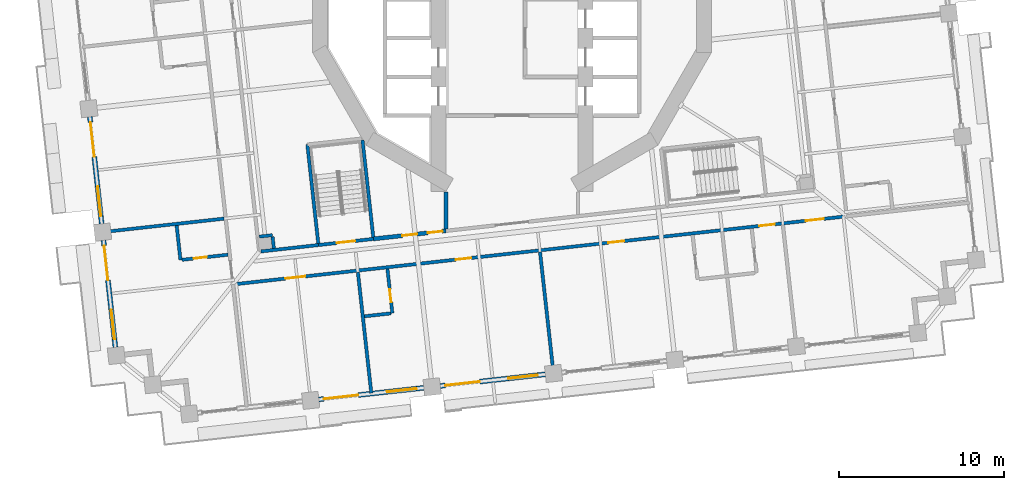
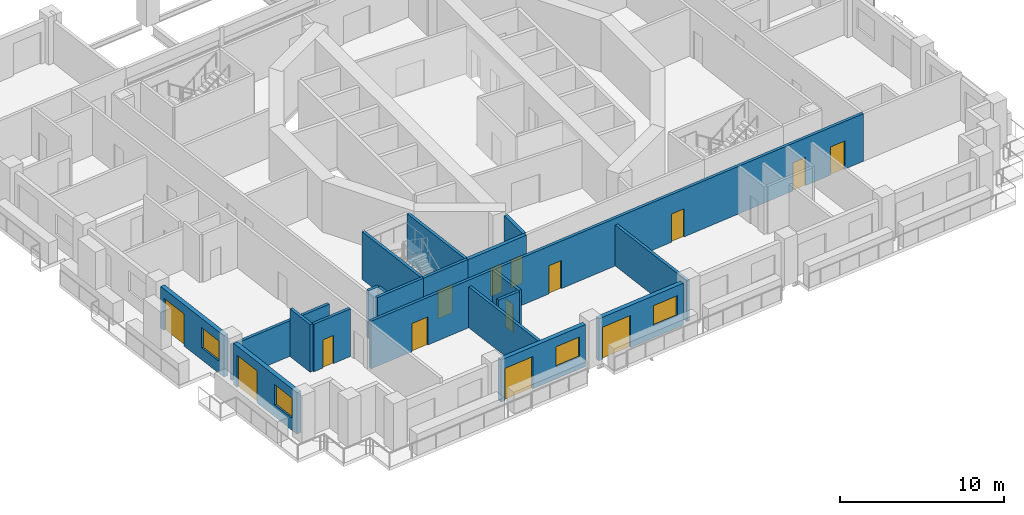
# One storey, part 7 of 21: 20 walls, 14 doors, 4 windows, 18 openings.
"""IFC4 building model written with IfcOpenShell, lengths in metres."""

import ifcopenshell
import ifcopenshell.guid

model = None  # the IFC model being written
_history = None  # IfcOwnerHistory: only IFC2X3 demands one
_inside = {}  # id of a spatial element -> (the spatial element, [elements in it])
_under = {}  # id of a project, library or spatial element -> (it, [spatial elements below it])
_declared = {}  # id of a project -> (the project, [libraries it declares])
_typed = {}  # id of a type object -> (the type object, [elements of that type])
_made_of = {}  # id of a material, layer set ... -> (it, [elements and type objects made of it])


def new_model(schema):
    """Start an empty IFC model of exactly this schema.

    Asked for "IFC4X3", IfcOpenShell would pick the latest addendum, in which some entities
    have other attributes; the version numbers below select the first issue.
    IFC2X3 requires an IfcOwnerHistory on every rooted entity: one is made here for all.
    """
    global model, _history
    if schema == "IFC4X3":
        model = ifcopenshell.file(schema_version=(4, 3, 0, 0))
    else:
        model = ifcopenshell.file(schema=schema)
    _inside.clear()
    _under.clear()
    _declared.clear()
    _typed.clear()
    _made_of.clear()
    _history = None
    if model.schema == "IFC2X3":
        org = make("IfcOrganization", Name="unknown")
        user = make(
            "IfcPersonAndOrganization",
            ThePerson=make("IfcPerson", FamilyName="unknown"),
            TheOrganization=org,
        )
        app = make(
            "IfcApplication",
            ApplicationDeveloper=org,
            Version="unknown",
            ApplicationFullName="unknown",
            ApplicationIdentifier="unknown",
        )
        _history = make(
            "IfcOwnerHistory",
            OwningUser=user,
            OwningApplication=app,
            ChangeAction="ADDED",
            CreationDate=0,
        )
    return model


def make(cls, **values):
    """One entity of the class cls with the attributes given. An attribute that is None is left unset."""
    return model.create_entity(
        cls, **{name: value for name, value in values.items() if value is not None}
    )


def rooted(cls, **values):
    """An entity with a GlobalId (a new one), such as an element, a storey or a relation."""
    return make(cls, GlobalId=ifcopenshell.guid.new(), OwnerHistory=_history, **values)


def si_unit(unit_type, name, prefix=None):
    """IfcSIUnit, for example si_unit("LENGTHUNIT", "METRE", prefix="MILLI")."""
    return make("IfcSIUnit", UnitType=unit_type, Prefix=prefix, Name=name)


def assignment(units):
    """IfcUnitAssignment: the units of a project."""
    return None if units is None else make("IfcUnitAssignment", Units=units)


def point(xyz):
    """IfcCartesianPoint."""
    return None if xyz is None else make("IfcCartesianPoint", Coordinates=xyz)


def direction(xyz):
    """IfcDirection."""
    return None if xyz is None else make("IfcDirection", DirectionRatios=xyz)


def frame(location, z_axis=None, x_axis=None):
    """IfcAxis2Placement3D, a coordinate frame: its origin and axes. An axis left out is left unset."""
    return make(
        "IfcAxis2Placement3D",
        Location=point(location),
        Axis=direction(z_axis),
        RefDirection=direction(x_axis),
    )


def frame_2d(location, x_axis=None):
    """IfcAxis2Placement2D, a coordinate frame in the plane: its origin and x axis."""
    return make(
        "IfcAxis2Placement2D", Location=point(location), RefDirection=direction(x_axis)
    )


def origin():
    """The frame at (0, 0, 0) with its axes left unset."""
    return frame((0.0, 0.0, 0.0))


def place(relative_to, where):
    """IfcLocalPlacement: puts the frame where relative to a parent placement (None: the world)."""
    return make(
        "IfcLocalPlacement", PlacementRelTo=relative_to, RelativePlacement=where
    )


def context(
    kind, dimensions, precision=None, world=None, true_north=None, identifier=None
):
    """IfcGeometricRepresentationContext, for example the 3D "Model" context."""
    return make(
        "IfcGeometricRepresentationContext",
        ContextIdentifier=identifier,
        ContextType=kind,
        CoordinateSpaceDimension=dimensions,
        Precision=precision,
        WorldCoordinateSystem=world,
        TrueNorth=true_north,
    )


def subcontext(parent, identifier, kind, view, scale=None):
    """IfcGeometricRepresentationSubContext, for example "Body" below "Model"."""
    return make(
        "IfcGeometricRepresentationSubContext",
        ContextIdentifier=identifier,
        ContextType=kind,
        ParentContext=parent,
        TargetScale=scale,
        TargetView=view,
    )


def project(units=None, contexts=None):
    """IfcProject with its units and contexts."""
    return rooted(
        "IfcProject",
        Name="project",
        RepresentationContexts=contexts,
        UnitsInContext=assignment(units),
    )


def spatial(cls, under=None, at=None, **own):
    """A site, building, storey or space (cls), placed at a placement, below another one or the project."""
    s = rooted(cls, ObjectPlacement=at, **own)
    if under is not None:
        _under.setdefault(under.id(), (under, []))[1].append(s)
    return s


def profile(cls, at=None, kind="AREA", **sizes):
    """A parametric profile (cls). Its sizes go by their IFC names, for example OverallWidth=200.0."""
    return make(cls, ProfileType=kind, Position=at, **sizes)


def rectangle(**sizes):
    """IfcRectangleProfileDef."""
    return profile("IfcRectangleProfileDef", **sizes)


def extrude(swept, where, along, depth):
    """IfcExtrudedAreaSolid: the profile swept, set in the frame where, extruded along a direction by depth."""
    return make(
        "IfcExtrudedAreaSolid",
        SweptArea=swept,
        Position=where,
        ExtrudedDirection=direction(along),
        Depth=depth,
    )


def shape(context_of_items, identifier, shape_type, items):
    """IfcShapeRepresentation: the items that make up one representation, for example the "Body"."""
    return make(
        "IfcShapeRepresentation",
        ContextOfItems=context_of_items,
        RepresentationIdentifier=identifier,
        RepresentationType=shape_type,
        Items=items,
    )


def material(Name=None, Category=None):
    """IfcMaterial."""
    return make("IfcMaterial", Name=Name, Category=Category)


def layer(
    of_material, thickness, ventilated=None, Name=None, Category=None, Priority=None
):
    """IfcMaterialLayer: one layer of a wall or slab, of a material (None: an air gap)."""
    return make(
        "IfcMaterialLayer",
        Material=of_material,
        LayerThickness=thickness,
        IsVentilated=ventilated,
        Name=Name,
        Category=Category,
        Priority=Priority,
    )


def layer_set(layers, Name=None):
    """IfcMaterialLayerSet."""
    return make("IfcMaterialLayerSet", MaterialLayers=layers, LayerSetName=Name)


def made_of(thing, what):
    """Note that an element or type object is made of a material, layer set ...; save() writes the relation."""
    if what is not None:
        _made_of.setdefault(what.id(), (what, []))[1].append(thing)
    return thing


def type_object(cls, material=None, **own):
    """A type object (cls), such as IfcWallType, which elements share."""
    return made_of(rooted(cls, **own), material)


def element(
    cls,
    number,
    at=None,
    inside=None,
    cuts=None,
    type_object=None,
    material=None,
    context=None,
    identifier="Body",
    shape_type=None,
    held_by="IfcProductDefinitionShape",
    body=None,
    shapes=None,
    **own,
):
    """One element of the class cls, such as IfcWall. Its Tag is "e" and its number.

    at: its placement. inside: the storey or other place that contains it. cuts: it is an
    opening in that element (IfcRelVoidsElement). A single representation is given by context,
    identifier, shape_type and body (its items); several are given by shapes. held_by: the class
    of the entity that holds the representations. save() writes the other relations.
    """
    e = rooted(cls, Tag="e%d" % number, ObjectPlacement=at, **own)
    if body is not None:
        shapes = [shape(context, identifier, shape_type, body)]
    if shapes is not None:
        e.Representation = make(held_by, Representations=shapes)
    if inside is not None:
        _inside.setdefault(inside.id(), (inside, []))[1].append(e)
    if cuts is not None:
        rooted(
            "IfcRelVoidsElement", RelatingBuildingElement=cuts, RelatedOpeningElement=e
        )
    if type_object is not None:
        _typed.setdefault(type_object.id(), (type_object, []))[1].append(e)
    return made_of(e, material)


def fill(opening, filler):
    """IfcRelFillsElement: the door or window that sits in an opening."""
    return rooted(
        "IfcRelFillsElement",
        RelatingOpeningElement=opening,
        RelatedBuildingElement=filler,
    )


def aggregate(whole, parts):
    """IfcRelAggregates: a whole, such as a stair, and the parts it consists of."""
    return rooted("IfcRelAggregates", RelatingObject=whole, RelatedObjects=parts)


def save(model, path):
    """Write the relations noted so far, then the file.

    IfcRelAggregates (storeys below a building ...), IfcRelContainedInSpatialStructure (elements
    in a storey), IfcRelDefinesByType, IfcRelAssociatesMaterial and IfcRelDeclares: one each for
    every whole, place, type object, material and project.
    """
    for whole, parts in _under.values():
        aggregate(whole, parts)
    for where, things in _inside.values():
        rooted(
            "IfcRelContainedInSpatialStructure",
            RelatedElements=things,
            RelatingStructure=where,
        )
    for kind, things in _typed.values():
        rooted("IfcRelDefinesByType", RelatedObjects=things, RelatingType=kind)
    for what, things in _made_of.values():
        rooted("IfcRelAssociatesMaterial", RelatedObjects=things, RelatingMaterial=what)
    for by, libraries in _declared.values():
        rooted("IfcRelDeclares", RelatingContext=by, RelatedDefinitions=libraries)
    model.write(path)


model = new_model("IFC4")

# Units and contexts
model_context = context("Model", 3, precision=1e-05, world=origin(), true_north=direction((0.0, 1.0)))
body_context = subcontext(model_context, "Body", "Model", "MODEL_VIEW")
ifc_project = project(units=[si_unit("LENGTHUNIT", "METRE"), si_unit("AREAUNIT", "SQUARE_METRE"), si_unit("VOLUMEUNIT", "CUBIC_METRE"), si_unit("PLANEANGLEUNIT", "RADIAN"), si_unit("MASSUNIT", "GRAM", prefix="KILO")], contexts=[model_context])

# Site, building, storey
site_placement = place(None, origin())
site = spatial("IfcSite", under=ifc_project, at=site_placement, CompositionType="ELEMENT")
building_placement = place(site_placement, origin())
building = spatial("IfcBuilding", under=site, at=building_placement, Name="Cantera Rosa Tower", CompositionType="ELEMENT")
storey_placement = place(building_placement, frame((0.0, 0.0, 57.699951171875)))
storey = spatial("IfcBuildingStorey", under=building, at=storey_placement, Name="L11", CompositionType="ELEMENT", Elevation=57.699951171875)

# Wall, openings, doors
ifc_material_1 = material(Name="Gypsum board partition")
ifc_layer_1 = layer(ifc_material_1, 0.199951171875)
ifc_layer_set_1 = layer_set([ifc_layer_1], Name="CORRIDOR WALL 200 H3550")
wall_type_1 = type_object("IfcWallType", Name="CORRIDOR WALL 200 H3550", PredefinedType="PARTITIONING", material=ifc_layer_set_1)
wall_1_placement = place(storey_placement, frame((-16.798583984375, -17.25830078125, 0.0), z_axis=(0.0, 0.0, 1.0), x_axis=(0.993897376518, 0.110308680302, 0.0)))
wall_1 = element("IfcWall", 1, at=wall_1_placement, inside=storey, type_object=wall_type_1, Name="CORRIDOR WALL L11-020", PredefinedType="PARTITIONING", context=body_context, shape_type="SweptSolid", body=[
    extrude(rectangle(XDim=37.2998046875, YDim=0.199951171875, at=frame_2d((18.64990234375, 0.0))), origin(), (0.0, 0.0, 1.0), 3.550048828125),
])
opening_1_placement = place(wall_1_placement, frame((3.10009765625, 0.0, 0.0)))
opening_1 = element("IfcOpeningElement", 2, at=opening_1_placement, cuts=wall_1, Name="Opening L11-039", PredefinedType="OPENING", context=body_context, shape_type="SweptSolid", body=[
    extrude(rectangle(XDim=1.199951171875, YDim=2.10009765625, at=frame_2d((0.60009765625, 1.050048828125))), frame((0.0, 0.10986328125, 0.0), z_axis=(0.0, -1.0, 0.0), x_axis=(1.0, 0.0, 0.0)), (0.0, 0.0, 1.0), 0.219970703125),
])
opening_2_placement = place(wall_1_placement, frame((13.47509765625, 0.0, 0.0)))
opening_2 = element("IfcOpeningElement", 3, at=opening_2_placement, cuts=wall_1, Name="Opening L11-040", PredefinedType="OPENING", context=body_context, shape_type="SweptSolid", body=[
    extrude(rectangle(XDim=0.949951171875, YDim=2.10009765625, at=frame_2d((0.47509765625, 1.050048828125))), frame((0.0, 0.10986328125, 0.0), z_axis=(0.0, -1.0, 0.0), x_axis=(1.0, 0.0, 0.0)), (0.0, 0.0, 1.0), 0.219970703125),
])
opening_3_placement = place(wall_1_placement, frame((22.77490234375, 0.0, 0.0)))
opening_3 = element("IfcOpeningElement", 4, at=opening_3_placement, cuts=wall_1, Name="Opening L11-042", PredefinedType="OPENING", context=body_context, shape_type="SweptSolid", body=[
    extrude(rectangle(XDim=0.949951171875, YDim=2.10009765625, at=frame_2d((0.47509765625, 1.050048828125))), frame((0.0, 0.10986328125, 0.0), z_axis=(0.0, -1.0, 0.0), x_axis=(1.0, 0.0, 0.0)), (0.0, 0.0, 1.0), 0.219970703125),
])
opening_4_placement = place(wall_1_placement, frame((31.97509765625, 0.0, 0.0)))
opening_4 = element("IfcOpeningElement", 5, at=opening_4_placement, cuts=wall_1, Name="Opening L11-044", PredefinedType="OPENING", context=body_context, shape_type="SweptSolid", body=[
    extrude(rectangle(XDim=0.949951171875, YDim=2.10009765625, at=frame_2d((0.47509765625, 1.050048828125))), frame((0.0, 0.10986328125, 0.0), z_axis=(0.0, -1.0, 0.0), x_axis=(1.0, 0.0, 0.0)), (0.0, 0.0, 1.0), 0.219970703125),
])
opening_5_placement = place(wall_1_placement, frame((34.800048828125, 0.0, 0.0)))
opening_5 = element("IfcOpeningElement", 6, at=opening_5_placement, cuts=wall_1, Name="Opening L11-046", PredefinedType="OPENING", context=body_context, shape_type="SweptSolid", body=[
    extrude(rectangle(XDim=1.10009765625, YDim=2.10009765625, at=frame_2d((0.550048828125, 1.050048828125))), frame((0.0, 0.10986328125, 0.0), z_axis=(0.0, -1.0, 0.0), x_axis=(1.0, 0.0, 0.0)), (0.0, 0.0, 1.0), 0.219970703125),
])
ifc_material_2 = material(Name="Timber door leaf", Category="wood")
door_type_1 = type_object("IfcDoorType", Name="ROOM DOOR 1100x2100", OperationType="NOTDEFINED", PredefinedType="DOOR", material=ifc_material_2)
door_1_placement = place(opening_5_placement, origin())
door_1 = element("IfcDoor", 7, at=door_1_placement, inside=storey, type_object=door_type_1, Name="DOOR L11-046", OperationType="NOTDEFINED", OverallHeight=2.10009765625, OverallWidth=1.10009765625, PredefinedType="DOOR", context=body_context, shape_type="SweptSolid", body=[
    extrude(rectangle(XDim=1.10009765625, YDim=2.10009765625, at=frame_2d((0.550048828125, 1.050048828125))), frame((0.0, 0.02490234375, 0.0), z_axis=(0.0, -1.0, 0.0), x_axis=(1.0, 0.0, 0.0)), (0.0, 0.0, 1.0), 0.050048828125),
])
fill(opening_5, door_1)
ifc_material_3 = material(Name="Timber door leaf", Category="wood")
door_type_2 = type_object("IfcDoorType", Name="ROOM DOOR 1200x2100", OperationType="NOTDEFINED", PredefinedType="DOOR", material=ifc_material_3)
door_2_placement = place(opening_1_placement, origin())
door_2 = element("IfcDoor", 8, at=door_2_placement, inside=storey, type_object=door_type_2, Name="DOOR L11-039", OperationType="NOTDEFINED", OverallHeight=2.10009765625, OverallWidth=1.199951171875, PredefinedType="DOOR", context=body_context, shape_type="SweptSolid", body=[
    extrude(rectangle(XDim=1.199951171875, YDim=2.10009765625, at=frame_2d((0.60009765625, 1.050048828125))), frame((0.0, 0.02490234375, 0.0), z_axis=(0.0, -1.0, 0.0), x_axis=(1.0, 0.0, 0.0)), (0.0, 0.0, 1.0), 0.050048828125),
])
fill(opening_1, door_2)
ifc_material_4 = material(Name="Timber door leaf", Category="wood")
door_type_3 = type_object("IfcDoorType", Name="ROOM DOOR 950x2100", OperationType="NOTDEFINED", PredefinedType="DOOR", material=ifc_material_4)
door_3_placement = place(opening_2_placement, origin())
door_3 = element("IfcDoor", 9, at=door_3_placement, inside=storey, type_object=door_type_3, Name="DOOR L11-040", OperationType="NOTDEFINED", OverallHeight=2.10009765625, OverallWidth=0.949951171875, PredefinedType="DOOR", context=body_context, shape_type="SweptSolid", body=[
    extrude(rectangle(XDim=0.949951171875, YDim=2.10009765625, at=frame_2d((0.47509765625, 1.050048828125))), frame((0.0, 0.02490234375, 0.0), z_axis=(0.0, -1.0, 0.0), x_axis=(1.0, 0.0, 0.0)), (0.0, 0.0, 1.0), 0.050048828125),
])
fill(opening_2, door_3)
door_4_placement = place(opening_3_placement, origin())
door_4 = element("IfcDoor", 10, at=door_4_placement, inside=storey, type_object=door_type_3, Name="DOOR L11-042", OperationType="NOTDEFINED", OverallHeight=2.10009765625, OverallWidth=0.949951171875, PredefinedType="DOOR", context=body_context, shape_type="SweptSolid", body=[
    extrude(rectangle(XDim=0.949951171875, YDim=2.10009765625, at=frame_2d((0.47509765625, 1.050048828125))), frame((0.0, 0.02490234375, 0.0), z_axis=(0.0, -1.0, 0.0), x_axis=(1.0, 0.0, 0.0)), (0.0, 0.0, 1.0), 0.050048828125),
])
fill(opening_3, door_4)
door_5_placement = place(opening_4_placement, origin())
door_5 = element("IfcDoor", 11, at=door_5_placement, inside=storey, type_object=door_type_3, Name="DOOR L11-044", OperationType="NOTDEFINED", OverallHeight=2.10009765625, OverallWidth=0.949951171875, PredefinedType="DOOR", context=body_context, shape_type="SweptSolid", body=[
    extrude(rectangle(XDim=0.949951171875, YDim=2.10009765625, at=frame_2d((0.47509765625, 1.050048828125))), frame((0.0, 0.02490234375, 0.0), z_axis=(0.0, -1.0, 0.0), x_axis=(1.0, 0.0, 0.0)), (0.0, 0.0, 1.0), 0.050048828125),
])
fill(opening_4, door_5)

# Wall
wall_2_placement = place(storey_placement, frame((-15.208251953125, -15.27099609375, 0.0), z_axis=(0.0, 0.0, 1.0), x_axis=(0.993893064489, 0.110347525396, 0.0)))
element("IfcWall", 12, at=wall_2_placement, inside=storey, type_object=wall_type_1, Name="CORRIDOR WALL L11-025", PredefinedType="PARTITIONING", context=body_context, shape_type="SweptSolid", body=[
    extrude(rectangle(XDim=3.509033203125, YDim=0.199951171875, at=frame_2d((1.75439453125, 0.0))), origin(), (0.0, 0.0, 1.0), 3.550048828125),
])

# Wall, openings, window, door
ifc_material_5 = material(Name="Hollow clay masonry with cantera stone cladding", Category="masonry")
ifc_layer_2 = layer(ifc_material_5, 0.300048828125)
ifc_layer_set_2 = layer_set([ifc_layer_2], Name="EW-LOGGIA 300 H3090")
wall_type_2 = type_object("IfcWallType", Name="EW-LOGGIA 300 H3090", PredefinedType="SOLIDWALL", material=ifc_layer_set_2)
wall_3_placement = place(storey_placement, frame((-25.570068359375, -7.124267578125, 0.0), z_axis=(0.0, 0.0, 1.0), x_axis=(0.110312341265, -0.993896970196, 0.0)))
wall_3 = element("IfcWall", 13, at=wall_3_placement, inside=storey, type_object=wall_type_2, Name="EN-L11-W19", PredefinedType="SOLIDWALL", context=body_context, shape_type="SweptSolid", body=[
    extrude(rectangle(XDim=6.52001953125, YDim=0.300048828125, at=frame_2d((3.260009765625, 0.0))), origin(), (0.0, 0.0, 1.0), 3.090087890625),
])
opening_6_placement = place(wall_3_placement, frame((0.330078125, 0.0, 0.0)))
opening_6 = element("IfcOpeningElement", 14, at=opening_6_placement, cuts=wall_3, Name="Opening L11-TD25", PredefinedType="OPENING", context=body_context, shape_type="SweptSolid", body=[
    extrude(rectangle(XDim=2.10009765625, YDim=2.39990234375, at=frame_2d((1.050048828125, 1.199951171875))), frame((0.0, 0.159912109375, 0.0), z_axis=(0.0, -1.0, 0.0), x_axis=(1.0, 0.0, 0.0)), (0.0, 0.0, 1.0), 0.320068359375),
])
opening_7_placement = place(wall_3_placement, frame((4.239990234375, 0.0, 0.89990234375)))
opening_7 = element("IfcOpeningElement", 15, at=opening_7_placement, cuts=wall_3, Name="Opening L11-W26", PredefinedType="OPENING", context=body_context, shape_type="SweptSolid", body=[
    extrude(rectangle(XDim=1.800048828125, YDim=1.5, at=frame_2d((0.89990234375, 0.75))), frame((0.0, 0.159912109375, 0.0), z_axis=(0.0, -1.0, 0.0), x_axis=(1.0, 0.0, 0.0)), (0.0, 0.0, 1.0), 0.320068359375),
])
ifc_material_6 = material(Name="Aluminium frame with clear glass", Category="aluminium")
window_type = type_object("IfcWindowType", Name="Hotel room window 1800x1500", PartitioningType="DOUBLE_PANEL_VERTICAL", PredefinedType="WINDOW", material=ifc_material_6)
window_1_placement = place(opening_7_placement, origin())
window_1 = element("IfcWindow", 16, at=window_1_placement, inside=storey, type_object=window_type, Name="WINDOW L11-W26", OverallHeight=1.5, OverallWidth=1.800048828125, PartitioningType="SINGLE_PANEL", PredefinedType="WINDOW", context=body_context, shape_type="SweptSolid", body=[
    extrude(rectangle(XDim=1.800048828125, YDim=1.5, at=frame_2d((0.89990234375, 0.75))), frame((0.0, 0.030029296875, 0.0), z_axis=(0.0, -1.0, 0.0), x_axis=(1.0, 0.0, 0.0)), (0.0, 0.0, 1.0), 0.06005859375),
])
fill(opening_7, window_1)
ifc_material_7 = material(Name="Aluminium frame with clear glass", Category="aluminium")
door_type_4 = type_object("IfcDoorType", Name="TD-H 2100x2400", OperationType="NOTDEFINED", PredefinedType="DOOR", material=ifc_material_7)
door_6_placement = place(opening_6_placement, origin())
door_6 = element("IfcDoor", 17, at=door_6_placement, inside=storey, type_object=door_type_4, Name="LOGGIA DOOR L11-TD25", OperationType="SLIDING_TO_LEFT", OverallHeight=2.39990234375, OverallWidth=2.10009765625, PredefinedType="DOOR", context=body_context, shape_type="SweptSolid", body=[
    extrude(rectangle(XDim=2.10009765625, YDim=2.39990234375, at=frame_2d((1.050048828125, 1.199951171875))), frame((0.0, 0.02490234375, 0.0), z_axis=(0.0, -1.0, 0.0), x_axis=(1.0, 0.0, 0.0)), (0.0, 0.0, 1.0), 0.050048828125),
])
fill(opening_6, door_6)

wall_4_placement = place(storey_placement, frame((-24.74072265625, -14.598388671875, 0.0), z_axis=(0.0, 0.0, 1.0), x_axis=(0.110312341265, -0.993896970196, 0.0)))
wall_4 = element("IfcWall", 18, at=wall_4_placement, inside=storey, type_object=wall_type_2, Name="EN-L11-W20", PredefinedType="SOLIDWALL", context=body_context, shape_type="SweptSolid", body=[
    extrude(rectangle(XDim=6.52001953125, YDim=0.300048828125, at=frame_2d((3.260009765625, 0.0))), origin(), (0.0, 0.0, 1.0), 3.090087890625),
])
opening_8_placement = place(wall_4_placement, frame((0.330078125, 0.0, 0.0)))
opening_8 = element("IfcOpeningElement", 19, at=opening_8_placement, cuts=wall_4, Name="Opening L11-TD27", PredefinedType="OPENING", context=body_context, shape_type="SweptSolid", body=[
    extrude(rectangle(XDim=2.10009765625, YDim=2.39990234375, at=frame_2d((1.050048828125, 1.199951171875))), frame((0.0, 0.159912109375, 0.0), z_axis=(0.0, -1.0, 0.0), x_axis=(1.0, 0.0, 0.0)), (0.0, 0.0, 1.0), 0.320068359375),
])
opening_9_placement = place(wall_4_placement, frame((4.239990234375, 0.0, 0.89990234375)))
opening_9 = element("IfcOpeningElement", 20, at=opening_9_placement, cuts=wall_4, Name="Opening L11-W28", PredefinedType="OPENING", context=body_context, shape_type="SweptSolid", body=[
    extrude(rectangle(XDim=1.800048828125, YDim=1.5, at=frame_2d((0.89990234375, 0.75))), frame((0.0, 0.159912109375, 0.0), z_axis=(0.0, -1.0, 0.0), x_axis=(1.0, 0.0, 0.0)), (0.0, 0.0, 1.0), 0.320068359375),
])
window_2_placement = place(opening_9_placement, origin())
window_2 = element("IfcWindow", 21, at=window_2_placement, inside=storey, type_object=window_type, Name="WINDOW L11-W28", OverallHeight=1.5, OverallWidth=1.800048828125, PartitioningType="SINGLE_PANEL", PredefinedType="WINDOW", context=body_context, shape_type="SweptSolid", body=[
    extrude(rectangle(XDim=1.800048828125, YDim=1.5, at=frame_2d((0.89990234375, 0.75))), frame((0.0, 0.030029296875, 0.0), z_axis=(0.0, -1.0, 0.0), x_axis=(1.0, 0.0, 0.0)), (0.0, 0.0, 1.0), 0.06005859375),
])
fill(opening_9, window_2)
door_7_placement = place(opening_8_placement, origin())
door_7 = element("IfcDoor", 22, at=door_7_placement, inside=storey, type_object=door_type_4, Name="LOGGIA DOOR L11-TD27", OperationType="SLIDING_TO_LEFT", OverallHeight=2.39990234375, OverallWidth=2.10009765625, PredefinedType="DOOR", context=body_context, shape_type="SweptSolid", body=[
    extrude(rectangle(XDim=2.10009765625, YDim=2.39990234375, at=frame_2d((1.050048828125, 1.199951171875))), frame((0.0, 0.02490234375, 0.0), z_axis=(0.0, -1.0, 0.0), x_axis=(1.0, 0.0, 0.0)), (0.0, 0.0, 1.0), 0.050048828125),
])
fill(opening_8, door_7)

ifc_material_8 = material(Name="Hollow clay masonry with cantera stone cladding", Category="masonry")
ifc_layer_3 = layer(ifc_material_8, 0.300048828125)
ifc_layer_set_3 = layer_set([ifc_layer_3], Name="EW-LOGGIA 300 H3140")
wall_type_3 = type_object("IfcWallType", Name="EW-LOGGIA 300 H3140", PredefinedType="SOLIDWALL", material=ifc_layer_set_3)
wall_5_placement = place(storey_placement, frame((-11.697509765625, -24.23828125, 0.0), z_axis=(0.0, 0.0, 1.0), x_axis=(0.993895824271, 0.110322665379, 0.0)))
wall_5 = element("IfcWall", 23, at=wall_5_placement, inside=storey, type_object=wall_type_3, Name="EN-L11-W24", PredefinedType="SOLIDWALL", context=body_context, shape_type="SweptSolid", body=[
    extrude(rectangle(XDim=6.39990234375, YDim=0.300048828125, at=frame_2d((3.199951171875, 0.0))), origin(), (0.0, 0.0, 1.0), 3.14013671875),
])
opening_10_placement = place(wall_5_placement, frame((0.300048828125, 0.0, 0.0)))
opening_10 = element("IfcOpeningElement", 24, at=opening_10_placement, cuts=wall_5, Name="Opening L11-TD31", PredefinedType="OPENING", context=body_context, shape_type="SweptSolid", body=[
    extrude(rectangle(XDim=2.10009765625, YDim=2.39990234375, at=frame_2d((1.050048828125, 1.199951171875))), frame((0.0, 0.159912109375, 0.0), z_axis=(0.0, -1.0, 0.0), x_axis=(1.0, 0.0, 0.0)), (0.0, 0.0, 1.0), 0.320068359375),
])
opening_11_placement = place(wall_5_placement, frame((4.14990234375, 0.0, 0.89990234375)))
opening_11 = element("IfcOpeningElement", 25, at=opening_11_placement, cuts=wall_5, Name="Opening L11-W32", PredefinedType="OPENING", context=body_context, shape_type="SweptSolid", body=[
    extrude(rectangle(XDim=1.800048828125, YDim=1.5, at=frame_2d((0.89990234375, 0.75))), frame((0.0, 0.159912109375, 0.0), z_axis=(0.0, -1.0, 0.0), x_axis=(1.0, 0.0, 0.0)), (0.0, 0.0, 1.0), 0.320068359375),
])
window_3_placement = place(opening_11_placement, origin())
window_3 = element("IfcWindow", 26, at=window_3_placement, inside=storey, type_object=window_type, Name="WINDOW L11-W32", OverallHeight=1.5, OverallWidth=1.800048828125, PartitioningType="SINGLE_PANEL", PredefinedType="WINDOW", context=body_context, shape_type="SweptSolid", body=[
    extrude(rectangle(XDim=1.800048828125, YDim=1.5, at=frame_2d((0.89990234375, 0.75))), frame((0.0, 0.030029296875, 0.0), z_axis=(0.0, -1.0, 0.0), x_axis=(1.0, 0.0, 0.0)), (0.0, 0.0, 1.0), 0.06005859375),
])
fill(opening_11, window_3)
door_8_placement = place(opening_10_placement, origin())
door_8 = element("IfcDoor", 27, at=door_8_placement, inside=storey, type_object=door_type_4, Name="LOGGIA DOOR L11-TD31", OperationType="SLIDING_TO_LEFT", OverallHeight=2.39990234375, OverallWidth=2.10009765625, PredefinedType="DOOR", context=body_context, shape_type="SweptSolid", body=[
    extrude(rectangle(XDim=2.10009765625, YDim=2.39990234375, at=frame_2d((1.050048828125, 1.199951171875))), frame((0.0, 0.02490234375, 0.0), z_axis=(0.0, -1.0, 0.0), x_axis=(1.0, 0.0, 0.0)), (0.0, 0.0, 1.0), 0.050048828125),
])
fill(opening_10, door_8)

wall_6_placement = place(storey_placement, frame((-4.3427734375, -23.422119140625, 0.0), z_axis=(0.0, 0.0, 1.0), x_axis=(0.993895824271, 0.110322665379, 0.0)))
wall_6 = element("IfcWall", 28, at=wall_6_placement, inside=storey, type_object=wall_type_3, Name="EN-L11-W25", PredefinedType="SOLIDWALL", context=body_context, shape_type="SweptSolid", body=[
    extrude(rectangle(XDim=6.39990234375, YDim=0.300048828125, at=frame_2d((3.199951171875, 0.0))), origin(), (0.0, 0.0, 1.0), 3.14013671875),
])
opening_12_placement = place(wall_6_placement, frame((0.300048828125, 0.0, 0.0)))
opening_12 = element("IfcOpeningElement", 29, at=opening_12_placement, cuts=wall_6, Name="Opening L11-TD33", PredefinedType="OPENING", context=body_context, shape_type="SweptSolid", body=[
    extrude(rectangle(XDim=2.10009765625, YDim=2.39990234375, at=frame_2d((1.050048828125, 1.199951171875))), frame((0.0, 0.159912109375, 0.0), z_axis=(0.0, -1.0, 0.0), x_axis=(1.0, 0.0, 0.0)), (0.0, 0.0, 1.0), 0.320068359375),
])
opening_13_placement = place(wall_6_placement, frame((4.14990234375, 0.0, 0.89990234375)))
opening_13 = element("IfcOpeningElement", 30, at=opening_13_placement, cuts=wall_6, Name="Opening L11-W34", PredefinedType="OPENING", context=body_context, shape_type="SweptSolid", body=[
    extrude(rectangle(XDim=1.800048828125, YDim=1.5, at=frame_2d((0.89990234375, 0.75))), frame((0.0, 0.159912109375, 0.0), z_axis=(0.0, -1.0, 0.0), x_axis=(1.0, 0.0, 0.0)), (0.0, 0.0, 1.0), 0.320068359375),
])
window_4_placement = place(opening_13_placement, origin())
window_4 = element("IfcWindow", 31, at=window_4_placement, inside=storey, type_object=window_type, Name="WINDOW L11-W34", OverallHeight=1.5, OverallWidth=1.800048828125, PartitioningType="SINGLE_PANEL", PredefinedType="WINDOW", context=body_context, shape_type="SweptSolid", body=[
    extrude(rectangle(XDim=1.800048828125, YDim=1.5, at=frame_2d((0.89990234375, 0.75))), frame((0.0, 0.030029296875, 0.0), z_axis=(0.0, -1.0, 0.0), x_axis=(1.0, 0.0, 0.0)), (0.0, 0.0, 1.0), 0.06005859375),
])
fill(opening_13, window_4)
door_9_placement = place(opening_12_placement, origin())
door_9 = element("IfcDoor", 32, at=door_9_placement, inside=storey, type_object=door_type_4, Name="LOGGIA DOOR L11-TD33", OperationType="SLIDING_TO_LEFT", OverallHeight=2.39990234375, OverallWidth=2.10009765625, PredefinedType="DOOR", context=body_context, shape_type="SweptSolid", body=[
    extrude(rectangle(XDim=2.10009765625, YDim=2.39990234375, at=frame_2d((1.050048828125, 1.199951171875))), frame((0.0, 0.02490234375, 0.0), z_axis=(0.0, -1.0, 0.0), x_axis=(1.0, 0.0, 0.0)), (0.0, 0.0, 1.0), 0.050048828125),
])
fill(opening_12, door_9)

# Wall
ifc_material_9 = material(Name="Gypsum board partition")
ifc_layer_4 = layer(ifc_material_9, 0.199951171875)
ifc_layer_set_4 = layer_set([ifc_layer_4], Name="PARTITION 200 H3550")
wall_type_4 = type_object("IfcWallType", Name="PARTITION 200 H3550", PredefinedType="PARTITIONING", material=ifc_layer_set_4)
wall_7_placement = place(storey_placement, frame((-20.08056640625, -15.79150390625, 0.0), z_axis=(0.0, 0.0, 1.0), x_axis=(-0.11032944474, 0.993895071737, 0.0)))
element("IfcWall", 33, at=wall_7_placement, inside=storey, type_object=wall_type_4, Name="PARTITION L11-009", PredefinedType="PARTITIONING", context=body_context, shape_type="SweptSolid", body=[
    extrude(rectangle(XDim=2.10009765625, YDim=0.199951171875, at=frame_2d((1.050048828125, 0.0))), origin(), (0.0, 0.0, 1.0), 3.550048828125),
])

# Wall, opening, door
wall_8_placement = place(storey_placement, frame((-17.1982421875, -15.4716796875, 0.0), z_axis=(0.0, 0.0, 1.0), x_axis=(-0.993898612038, -0.110297547524, 0.0)))
wall_8 = element("IfcWall", 34, at=wall_8_placement, inside=storey, type_object=wall_type_4, Name="PARTITION L11-019", PredefinedType="PARTITIONING", context=body_context, shape_type="SweptSolid", body=[
    extrude(rectangle(XDim=2.800048828125, YDim=0.199951171875, at=frame_2d((1.39990234375, 0.0))), origin(), (0.0, 0.0, 1.0), 3.550048828125),
])
opening_14_placement = place(wall_8_placement, frame((1.300048828125, 0.0, 0.0)))
opening_14 = element("IfcOpeningElement", 35, at=opening_14_placement, cuts=wall_8, Name="Opening L11-038", PredefinedType="OPENING", context=body_context, shape_type="SweptSolid", body=[
    extrude(rectangle(XDim=0.800048828125, YDim=2.10009765625, at=frame_2d((0.39990234375, 1.050048828125))), frame((0.0, 0.10986328125, 0.0), z_axis=(0.0, -1.0, 0.0), x_axis=(1.0, 0.0, 0.0)), (0.0, 0.0, 1.0), 0.219970703125),
])
ifc_material_10 = material(Name="Timber door leaf", Category="wood")
door_type_5 = type_object("IfcDoorType", Name="BATHROOM DOOR 800x2100", OperationType="NOTDEFINED", PredefinedType="DOOR", material=ifc_material_10)
door_10_placement = place(opening_14_placement, origin())
door_10 = element("IfcDoor", 36, at=door_10_placement, inside=storey, type_object=door_type_5, Name="DOOR L11-038", OperationType="NOTDEFINED", OverallHeight=2.10009765625, OverallWidth=0.800048828125, PredefinedType="DOOR", context=body_context, shape_type="SweptSolid", body=[
    extrude(rectangle(XDim=0.800048828125, YDim=2.10009765625, at=frame_2d((0.39990234375, 1.050048828125))), frame((0.0, 0.02490234375, 0.0), z_axis=(0.0, -1.0, 0.0), x_axis=(1.0, 0.0, 0.0)), (0.0, 0.0, 1.0), 0.050048828125),
])
fill(opening_14, door_10)

# Walls
wall_9_placement = place(storey_placement, frame((-14.512451171875, -14.2880859375, 0.0), z_axis=(0.0, 0.0, 1.0), x_axis=(-0.993880012744, -0.110465018303, 0.0)))
element("IfcWall", 37, at=wall_9_placement, inside=storey, type_object=wall_type_4, Name="PARTITION L11-026", PredefinedType="PARTITIONING", context=body_context, shape_type="SweptSolid", body=[
    extrude(rectangle(XDim=0.800048828125, YDim=0.199951171875, at=frame_2d((0.39990234375, 0.0))), origin(), (0.0, 0.0, 1.0), 3.550048828125),
])
wall_10_placement = place(storey_placement, frame((-14.42431640625, -15.083251953125, 0.0), z_axis=(0.0, 0.0, 1.0), x_axis=(-0.110201865026, 0.993909225707, 0.0)))
element("IfcWall", 38, at=wall_10_placement, inside=storey, type_object=wall_type_4, Name="PARTITION L11-027", PredefinedType="PARTITIONING", context=body_context, shape_type="SweptSolid", body=[
    extrude(rectangle(XDim=0.699951171875, YDim=0.199951171875, at=frame_2d((0.35009765625, 0.0))), origin(), (0.0, 0.0, 1.0), 3.550048828125),
])

# Wall, opening, door
wall_11_placement = place(storey_placement, frame((-7.54443359375, -16.331787109375, 0.0), z_axis=(0.0, 0.0, 1.0), x_axis=(0.110312435488, -0.993896959738, 0.0)))
wall_11 = element("IfcWall", 39, at=wall_11_placement, inside=storey, type_object=wall_type_4, Name="PARTITION L11-046", PredefinedType="PARTITIONING", context=body_context, shape_type="SweptSolid", body=[
    extrude(rectangle(XDim=2.699951171875, YDim=0.199951171875, at=frame_2d((1.35009765625, 0.0))), origin(), (0.0, 0.0, 1.0), 3.550048828125),
])
opening_15_placement = place(wall_11_placement, frame((1.236083984375, 0.0, 0.0)))
opening_15 = element("IfcOpeningElement", 40, at=opening_15_placement, cuts=wall_11, Name="Opening L11-041", PredefinedType="OPENING", context=body_context, shape_type="SweptSolid", body=[
    extrude(rectangle(XDim=0.800048828125, YDim=2.10009765625, at=frame_2d((0.39990234375, 1.050048828125))), frame((0.0, 0.10986328125, 0.0), z_axis=(0.0, -1.0, 0.0), x_axis=(1.0, 0.0, 0.0)), (0.0, 0.0, 1.0), 0.219970703125),
])
door_11_placement = place(opening_15_placement, origin())
door_11 = element("IfcDoor", 41, at=door_11_placement, inside=storey, type_object=door_type_5, Name="DOOR L11-041", OperationType="NOTDEFINED", OverallHeight=2.10009765625, OverallWidth=0.800048828125, PredefinedType="DOOR", context=body_context, shape_type="SweptSolid", body=[
    extrude(rectangle(XDim=0.800048828125, YDim=2.10009765625, at=frame_2d((0.39990234375, 1.050048828125))), frame((0.0, 0.02490234375, 0.0), z_axis=(0.0, -1.0, 0.0), x_axis=(1.0, 0.0, 0.0)), (0.0, 0.0, 1.0), 0.050048828125),
])
fill(opening_15, door_11)

# Walls
wall_12_placement = place(storey_placement, frame((-7.345947265625, -19.026611328125, 0.0), z_axis=(0.0, 0.0, 1.0), x_axis=(-0.993913470482, -0.110163574714, 0.0)))
element("IfcWall", 42, at=wall_12_placement, inside=storey, type_object=wall_type_4, Name="PARTITION L11-047", PredefinedType="PARTITIONING", context=body_context, shape_type="SweptSolid", body=[
    extrude(rectangle(XDim=1.60009765625, YDim=0.199951171875, at=frame_2d((0.800048828125, 0.0))), origin(), (0.0, 0.0, 1.0), 3.550048828125),
])
ifc_material_11 = material(Name="Gypsum board partition")
ifc_layer_5 = layer(ifc_material_11, 0.199951171875)
ifc_layer_set_5 = layer_set([ifc_layer_5], Name="PARTY WALL 200 H2650")
wall_type_5 = type_object("IfcWallType", Name="PARTY WALL 200 H2650", PredefinedType="PARTITIONING", material=ifc_layer_set_5)
wall_13_placement = place(storey_placement, frame((-17.44091796875, -13.284912109375, 0.0), z_axis=(0.0, 0.0, 1.0), x_axis=(-0.993897461949, -0.110307910555, 0.0)))
element("IfcWall", 43, at=wall_13_placement, inside=storey, type_object=wall_type_5, Name="PARTY WALL L11-016", PredefinedType="PARTITIONING", context=body_context, shape_type="SweptSolid", body=[
    extrude(rectangle(XDim=7.3701171875, YDim=0.199951171875, at=frame_2d((3.68505859375, 0.0))), origin(), (0.0, 0.0, 1.0), 2.650146484375),
])
ifc_material_12 = material(Name="Gypsum board partition")
ifc_layer_6 = layer(ifc_material_12, 0.199951171875)
ifc_layer_set_6 = layer_set([ifc_layer_6], Name="PARTY WALL 200 H3050")
wall_type_6 = type_object("IfcWallType", Name="PARTY WALL 200 H3050", PredefinedType="PARTITIONING", material=ifc_layer_set_6)
wall_14_placement = place(storey_placement, frame((-9.33349609375, -16.530517578125, 0.0), z_axis=(0.0, 0.0, 1.0), x_axis=(0.11031154238, -0.993897058864, 0.0)))
element("IfcWall", 44, at=wall_14_placement, inside=storey, type_object=wall_type_6, Name="PARTY WALL L11-035", PredefinedType="PARTITIONING", context=body_context, shape_type="SweptSolid", body=[
    extrude(rectangle(XDim=7.369873046875, YDim=0.199951171875, at=frame_2d((3.68505859375, 0.0))), origin(), (0.0, 0.0, 1.0), 3.050048828125),
])
wall_15_placement = place(storey_placement, frame((1.69873046875, -15.305908203125, 0.0), z_axis=(0.0, 0.0, 1.0), x_axis=(0.110307910555, -0.993897461949, 0.0)))
element("IfcWall", 45, at=wall_15_placement, inside=storey, type_object=wall_type_6, Name="PARTY WALL L11-056", PredefinedType="PARTITIONING", context=body_context, shape_type="SweptSolid", body=[
    extrude(rectangle(XDim=7.3701171875, YDim=0.199951171875, at=frame_2d((3.68505859375, 0.0))), origin(), (0.0, 0.0, 1.0), 3.050048828125),
])

# Wall, openings, doors
ifc_material_13 = material(Name="Masonry blockwork", Category="masonry")
ifc_layer_7 = layer(ifc_material_13, 0.25)
ifc_layer_set_7 = layer_set([ifc_layer_7], Name="SHAFT WALL 250 H3550")
wall_type_7 = type_object("IfcWallType", Name="SHAFT WALL 250 H3550", PredefinedType="SOLIDWALL", material=ifc_layer_set_7)
wall_16_placement = place(storey_placement, frame((-8.391357421875, -14.51416015625, 0.0), z_axis=(0.0, 0.0, 1.0), x_axis=(0.993899223668, 0.110292035939, 0.0)))
wall_16 = element("IfcWall", 46, at=wall_16_placement, inside=storey, type_object=wall_type_7, Name="SHAFT WALL L11-038", PredefinedType="SOLIDWALL", context=body_context, shape_type="SweptSolid", body=[
    extrude(rectangle(XDim=4.418212890625, YDim=0.25, at=frame_2d((2.208984375, 0.0))), origin(), (0.0, 0.0, 1.0), 3.550048828125),
])
opening_16_placement = place(wall_16_placement, frame((3.305419921875, 0.0, 0.0)))
opening_16 = element("IfcOpeningElement", 47, at=opening_16_placement, cuts=wall_16, Name="Opening L11-010", PredefinedType="OPENING", context=body_context, shape_type="SweptSolid", body=[
    extrude(rectangle(XDim=0.89990234375, YDim=2.10009765625, at=frame_2d((0.449951171875, 1.050048828125))), frame((0.0, 0.135009765625, 0.0), z_axis=(0.0, -1.0, 0.0), x_axis=(1.0, 0.0, 0.0)), (0.0, 0.0, 1.0), 0.27001953125),
])
opening_17_placement = place(wall_16_placement, frame((1.759033203125, 0.0, 0.0)))
opening_17 = element("IfcOpeningElement", 48, at=opening_17_placement, cuts=wall_16, Name="Opening L11-047", PredefinedType="OPENING", context=body_context, shape_type="SweptSolid", body=[
    extrude(rectangle(XDim=0.89990234375, YDim=2.10009765625, at=frame_2d((0.449951171875, 1.050048828125))), frame((0.0, 0.135009765625, 0.0), z_axis=(0.0, -1.0, 0.0), x_axis=(1.0, 0.0, 0.0)), (0.0, 0.0, 1.0), 0.27001953125),
])
ifc_material_14 = material(Name="Timber door leaf", Category="wood")
door_type_6 = type_object("IfcDoorType", Name="SERVICE DOOR 900x2100", OperationType="NOTDEFINED", PredefinedType="DOOR", material=ifc_material_14)
door_12_placement = place(opening_16_placement, origin())
door_12 = element("IfcDoor", 49, at=door_12_placement, inside=storey, type_object=door_type_6, Name="RISER DOOR L11-010", OperationType="NOTDEFINED", OverallHeight=2.10009765625, OverallWidth=0.89990234375, PredefinedType="DOOR", context=body_context, shape_type="SweptSolid", body=[
    extrude(rectangle(XDim=0.89990234375, YDim=2.10009765625, at=frame_2d((0.449951171875, 1.050048828125))), frame((0.0, 0.02490234375, 0.0), z_axis=(0.0, -1.0, 0.0), x_axis=(1.0, 0.0, 0.0)), (0.0, 0.0, 1.0), 0.050048828125),
])
fill(opening_16, door_12)
door_13_placement = place(opening_17_placement, origin())
door_13 = element("IfcDoor", 50, at=door_13_placement, inside=storey, type_object=door_type_6, Name="RISER DOOR L11-047", OperationType="NOTDEFINED", OverallHeight=2.10009765625, OverallWidth=0.89990234375, PredefinedType="DOOR", context=body_context, shape_type="SweptSolid", body=[
    extrude(rectangle(XDim=0.89990234375, YDim=2.10009765625, at=frame_2d((0.449951171875, 1.050048828125))), frame((0.0, 0.02490234375, 0.0), z_axis=(0.0, -1.0, 0.0), x_axis=(1.0, 0.0, 0.0)), (0.0, 0.0, 1.0), 0.050048828125),
])
fill(opening_17, door_13)

# Walls
wall_17_placement = place(storey_placement, frame((-4.0, -11.667236328125, 0.0), z_axis=(0.0, 0.0, 1.0), x_axis=(0.0, -1.0, 0.0)))
element("IfcWall", 51, at=wall_17_placement, inside=storey, type_object=wall_type_7, Name="SHAFT WALL L11-050", PredefinedType="SOLIDWALL", context=body_context, shape_type="SweptSolid", body=[
    extrude(rectangle(XDim=2.23974609375, YDim=0.25, at=frame_2d((1.119873046875, 0.0))), origin(), (0.0, 0.0, 1.0), 3.550048828125),
])
ifc_material_15 = material(Name="Concrete C50/60", Category="concrete")
ifc_layer_8 = layer(ifc_material_15, 0.199951171875)
ifc_layer_set_8 = layer_set([ifc_layer_8], Name="STAIR WALL 200 H3550")
wall_type_8 = type_object("IfcWallType", Name="STAIR WALL 200 H3550", PredefinedType="SOLIDWALL", material=ifc_layer_set_8)
wall_18_placement = place(storey_placement, frame((-12.395751953125, -8.802978515625, 0.0), z_axis=(0.0, 0.0, 1.0), x_axis=(0.110335171461, -0.993894436014, 0.0)))
element("IfcWall", 52, at=wall_18_placement, inside=storey, type_object=wall_type_8, Name="STAIR WALL L11-028", PredefinedType="SOLIDWALL", context=body_context, shape_type="SweptSolid", body=[
    extrude(rectangle(XDim=6.1181640625, YDim=0.199951171875, at=frame_2d((3.05908203125, 0.0))), origin(), (0.0, 0.0, 1.0), 3.550048828125),
])

# Wall, opening, door
wall_19_placement = place(storey_placement, frame((-11.720703125, -14.8837890625, 0.0), z_axis=(0.0, 0.0, 1.0), x_axis=(0.993893507649, 0.110343533811, 0.0)))
wall_19 = element("IfcWall", 53, at=wall_19_placement, inside=storey, type_object=wall_type_8, Name="STAIR WALL L11-030", PredefinedType="SOLIDWALL", context=body_context, shape_type="SweptSolid", body=[
    extrude(rectangle(XDim=3.349853515625, YDim=0.199951171875, at=frame_2d((1.6748046875, 0.0))), origin(), (0.0, 0.0, 1.0), 3.550048828125),
])
opening_18_placement = place(wall_19_placement, frame((1.125, 0.0, 0.0)))
opening_18 = element("IfcOpeningElement", 54, at=opening_18_placement, cuts=wall_19, Name="Opening L11-003", PredefinedType="OPENING", context=body_context, shape_type="SweptSolid", body=[
    extrude(rectangle(XDim=1.10009765625, YDim=2.10009765625, at=frame_2d((0.550048828125, 1.050048828125))), frame((0.0, 0.10986328125, 0.0), z_axis=(0.0, -1.0, 0.0), x_axis=(1.0, 0.0, 0.0)), (0.0, 0.0, 1.0), 0.219970703125),
])
ifc_material_16 = material(Name="Steel S355J2 (EN 10025-2)", Category="steel")
door_type_7 = type_object("IfcDoorType", Name="STAIR DOOR 1100x2100", OperationType="NOTDEFINED", PredefinedType="DOOR", material=ifc_material_16)
door_14_placement = place(opening_18_placement, origin())
door_14 = element("IfcDoor", 55, at=door_14_placement, inside=storey, type_object=door_type_7, Name="DOOR L11-003", OperationType="NOTDEFINED", OverallHeight=2.10009765625, OverallWidth=1.10009765625, PredefinedType="DOOR", context=body_context, shape_type="SweptSolid", body=[
    extrude(rectangle(XDim=1.10009765625, YDim=2.10009765625, at=frame_2d((0.550048828125, 1.050048828125))), frame((0.0, 0.02490234375, 0.0), z_axis=(0.0, -1.0, 0.0), x_axis=(1.0, 0.0, 0.0)), (0.0, 0.0, 1.0), 0.050048828125),
])
fill(opening_18, door_14)

# Wall
wall_20_placement = place(storey_placement, frame((-8.391357421875, -14.51416015625, 0.0), z_axis=(0.0, 0.0, 1.0), x_axis=(-0.11031151838, 0.993897061527, 0.0)))
element("IfcWall", 56, at=wall_20_placement, inside=storey, type_object=wall_type_8, Name="STAIR WALL L11-037", PredefinedType="SOLIDWALL", context=body_context, shape_type="SweptSolid", body=[
    extrude(rectangle(XDim=6.02880859375, YDim=0.199951171875, at=frame_2d((3.014404296875, 0.0))), origin(), (0.0, 0.0, 1.0), 3.550048828125),
])

save(model, "model.ifc")
